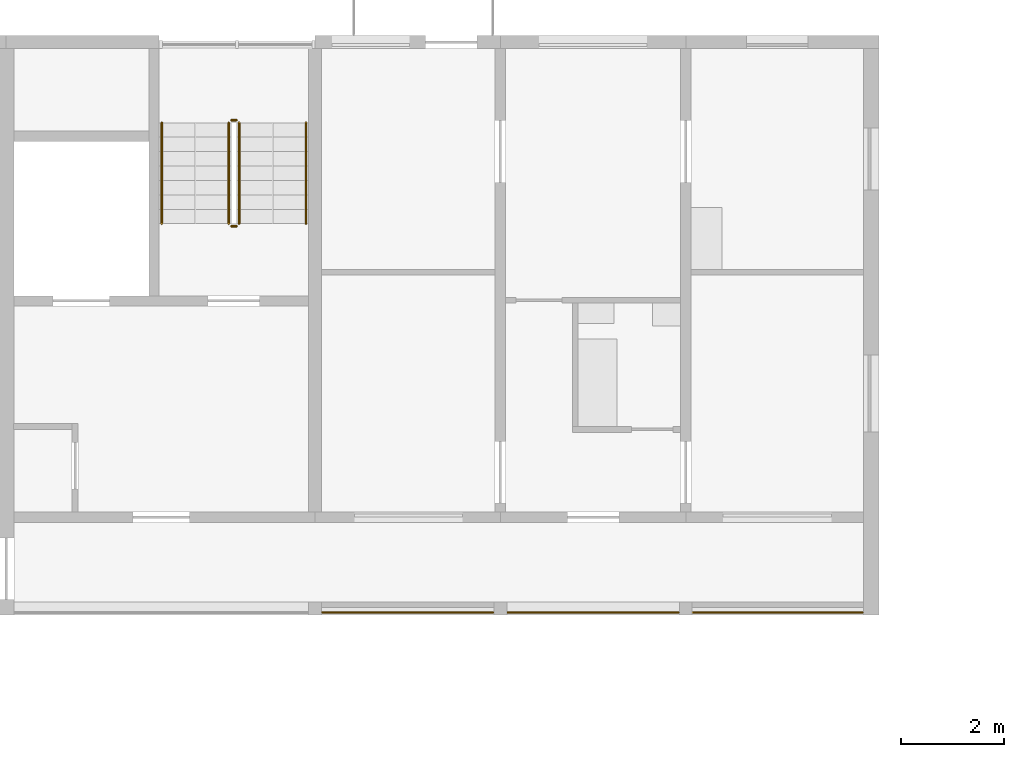
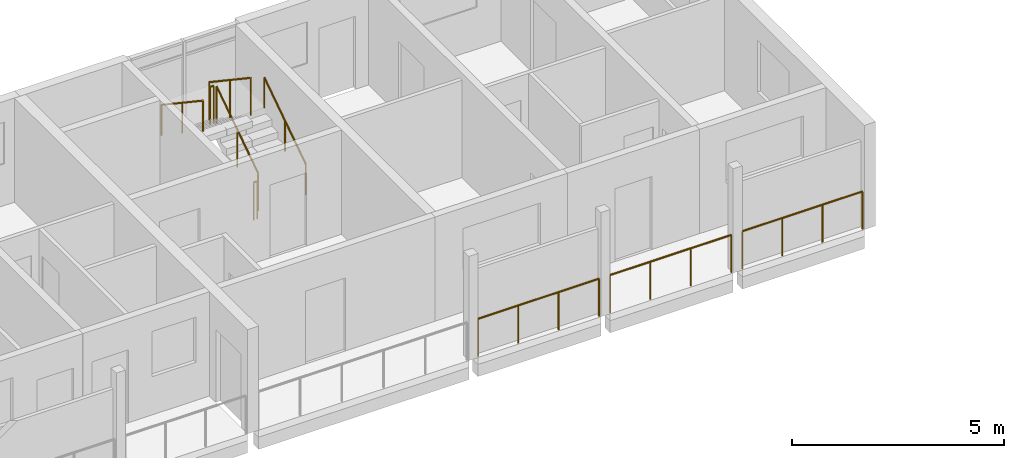
# One storey, part 86 of 99: 9 railings.
"""IFC4 building model written with IfcOpenShell, lengths in metres."""

from ifc_helpers import new_model, si_unit, direction, frame, origin, origin_2d, place, context, subcontext, project, spatial, circle, extrude, material, type_object, element, save


model = new_model("IFC4")

# Units and contexts
model_context = context("Model", 3, precision=1e-05, world=origin(), true_north=direction((0.0, 1.0)))
body_context = subcontext(model_context, "Body", "Model", "MODEL_VIEW")
ifc_project = project(units=[si_unit("LENGTHUNIT", "METRE"), si_unit("AREAUNIT", "SQUARE_METRE"), si_unit("VOLUMEUNIT", "CUBIC_METRE"), si_unit("PLANEANGLEUNIT", "RADIAN"), si_unit("MASSUNIT", "GRAM", prefix="KILO")], contexts=[model_context])

# Site, building, storey
site_placement = place(None, origin())
site = spatial("IfcSite", under=ifc_project, at=site_placement, CompositionType="ELEMENT")
building_placement = place(site_placement, origin())
building = spatial("IfcBuilding", under=site, at=building_placement, Name="Ridgestep Commons", CompositionType="ELEMENT")
storey_placement = place(building_placement, frame((0.0, 0.0, 15.0)))
storey = spatial("IfcBuildingStorey", under=building, at=storey_placement, Name="L05", CompositionType="ELEMENT", Elevation=15.0)

# Railings
ifc_material_1 = material(Name="Structural steel S355JR", Category="steel")
railing_type_1 = type_object("IfcRailingType", Name="Guard 1100", PredefinedType="GUARDRAIL", material=ifc_material_1)
railing_1_placement = place(storey_placement, frame((102.14599609375, 66.050048828125, 0.0)))
element("IfcRailing", 1, at=railing_1_placement, inside=storey, type_object=railing_type_1, Name="Gallery guard B 05.22", PredefinedType="GUARDRAIL", context=body_context, shape_type="SweptSolid", body=[
    extrude(circle(Radius=0.02392578125, at=origin_2d()), frame((0.0, 0.0, 1.076171875), z_axis=(1.0, 0.0, 0.0), x_axis=(0.0, 1.0, 0.0)), (0.0, 0.0, 1.0), 3.30810546875),
    extrude(circle(Radius=0.02099609375, at=origin_2d()), origin(), (0.0, 0.0, 1.0), 1.052001953125),
    extrude(circle(Radius=0.02099609375, at=origin_2d()), frame((1.102783203125, 0.0, 0.0)), (0.0, 0.0, 1.0), 1.052001953125),
    extrude(circle(Radius=0.02099609375, at=origin_2d()), frame((2.205322265625, 0.0, 0.0)), (0.0, 0.0, 1.0), 1.052001953125),
    extrude(circle(Radius=0.02099609375, at=origin_2d()), frame((3.30810546875, 0.0, 0.0)), (0.0, 0.0, 1.0), 1.052001953125),
])
railing_2_placement = place(storey_placement, frame((105.74609375, 66.050048828125, 0.0)))
element("IfcRailing", 2, at=railing_2_placement, inside=storey, type_object=railing_type_1, Name="Gallery guard B 05.23", PredefinedType="GUARDRAIL", context=body_context, shape_type="SweptSolid", body=[
    extrude(circle(Radius=0.02392578125, at=origin_2d()), frame((0.0, 0.0, 1.076171875), z_axis=(1.0, 0.0, 0.0), x_axis=(0.0, 1.0, 0.0)), (0.0, 0.0, 1.0), 3.307861328125),
    extrude(circle(Radius=0.02099609375, at=origin_2d()), origin(), (0.0, 0.0, 1.0), 1.052001953125),
    extrude(circle(Radius=0.02099609375, at=origin_2d()), frame((1.1025390625, 0.0, 0.0)), (0.0, 0.0, 1.0), 1.052001953125),
    extrude(circle(Radius=0.02099609375, at=origin_2d()), frame((2.205322265625, 0.0, 0.0)), (0.0, 0.0, 1.0), 1.052001953125),
    extrude(circle(Radius=0.02099609375, at=origin_2d()), frame((3.307861328125, 0.0, 0.0)), (0.0, 0.0, 1.0), 1.052001953125),
])
railing_3_placement = place(storey_placement, frame((109.345947265625, 66.050048828125, 0.0)))
element("IfcRailing", 3, at=railing_3_placement, inside=storey, type_object=railing_type_1, Name="Gallery guard B 05.24", PredefinedType="GUARDRAIL", context=body_context, shape_type="SweptSolid", body=[
    extrude(circle(Radius=0.02392578125, at=origin_2d()), frame((0.0, 0.0, 1.076171875), z_axis=(1.0, 0.0, 0.0), x_axis=(0.0, 1.0, 0.0)), (0.0, 0.0, 1.0), 3.282958984375),
    extrude(circle(Radius=0.02099609375, at=origin_2d()), origin(), (0.0, 0.0, 1.0), 1.052001953125),
    extrude(circle(Radius=0.02099609375, at=origin_2d()), frame((1.09423828125, 0.0, 0.0)), (0.0, 0.0, 1.0), 1.052001953125),
    extrude(circle(Radius=0.02099609375, at=origin_2d()), frame((2.188720703125, 0.0, 0.0)), (0.0, 0.0, 1.0), 1.052001953125),
    extrude(circle(Radius=0.02099609375, at=origin_2d()), frame((3.282958984375, 0.0, 0.0)), (0.0, 0.0, 1.0), 1.052001953125),
])
ifc_material_2 = material(Name="Structural steel S355JR", Category="steel")
railing_type_2 = type_object("IfcRailingType", Name="Stair guard 1100", PredefinedType="GUARDRAIL", material=ifc_material_2)
railing_4_placement = place(storey_placement, frame((100.52490234375, 73.60009765625, 0.1875)))
element("IfcRailing", 4, at=railing_4_placement, inside=storey, type_object=railing_type_2, Name="L05 B6C stair guard 1", PredefinedType="GUARDRAIL", context=body_context, shape_type="SweptSolid", body=[
    extrude(circle(Radius=0.02392578125, at=origin_2d()), frame((0.0, 0.0, 1.076171875), z_axis=(0.0, 0.830902050051, 0.556418712142), x_axis=(-1.0, 0.0, 0.0)), (0.0, 0.0, 1.0), 2.35888671875),
    extrude(circle(Radius=0.02099609375, at=origin_2d()), origin(), (0.0, 0.0, 1.0), 1.052001953125),
    extrude(circle(Radius=0.02099609375, at=origin_2d()), frame((0.0, 0.97998046875, 0.65625)), (0.0, 0.0, 1.0), 1.052001953125),
    extrude(circle(Radius=0.02099609375, at=origin_2d()), frame((0.0, 1.9599609375, 1.3125)), (0.0, 0.0, 1.0), 1.052001953125),
])
railing_5_placement = place(storey_placement, frame((100.47509765625, 75.610107421875, 1.5)))
element("IfcRailing", 5, at=railing_5_placement, inside=storey, type_object=railing_type_2, Name="L05 B6C stair guard 2", PredefinedType="GUARDRAIL", context=body_context, shape_type="SweptSolid", body=[
    extrude(circle(Radius=0.02392578125, at=origin_2d()), frame((0.0, 0.0, 1.076171875), z_axis=(-1.0, 0.0, 0.0), x_axis=(0.0, -1.0, 0.0)), (0.0, 0.0, 1.0), 0.10009765625),
    extrude(circle(Radius=0.02099609375, at=origin_2d()), origin(), (0.0, 0.0, 1.0), 1.052001953125),
    extrude(circle(Radius=0.02099609375, at=origin_2d()), frame((-0.10009765625, 0.0, 0.0)), (0.0, 0.0, 1.0), 1.052001953125),
])
railing_6_placement = place(storey_placement, frame((100.324951171875, 75.56005859375, 1.6875)))
element("IfcRailing", 6, at=railing_6_placement, inside=storey, type_object=railing_type_2, Name="L05 B6C stair guard 3", PredefinedType="GUARDRAIL", context=body_context, shape_type="SweptSolid", body=[
    extrude(circle(Radius=0.02392578125, at=origin_2d()), frame((0.0, 0.0, 1.076171875), z_axis=(0.0, -0.830902050051, 0.556418712142), x_axis=(1.0, 0.0, 0.0)), (0.0, 0.0, 1.0), 2.35888671875),
    extrude(circle(Radius=0.02099609375, at=origin_2d()), origin(), (0.0, 0.0, 1.0), 1.052001953125),
    extrude(circle(Radius=0.02099609375, at=origin_2d()), frame((0.0, -0.97998046875, 0.65625)), (0.0, 0.0, 1.0), 1.052001953125),
    extrude(circle(Radius=0.02099609375, at=origin_2d()), frame((0.0, -1.9599609375, 1.3125)), (0.0, 0.0, 1.0), 1.052001953125),
])
railing_7_placement = place(storey_placement, frame((100.47509765625, 73.550048828125, 0.0)))
element("IfcRailing", 7, at=railing_7_placement, inside=storey, type_object=railing_type_2, Name="L05 B6C stair guard 4", PredefinedType="GUARDRAIL", context=body_context, shape_type="SweptSolid", body=[
    extrude(circle(Radius=0.02392578125, at=origin_2d()), frame((0.0, 0.0, 1.076171875), z_axis=(-1.0, 0.0, 0.0), x_axis=(0.0, -1.0, 0.0)), (0.0, 0.0, 1.0), 0.10009765625),
    extrude(circle(Radius=0.02099609375, at=origin_2d()), origin(), (0.0, 0.0, 1.0), 1.052001953125),
    extrude(circle(Radius=0.02099609375, at=origin_2d()), frame((-0.10009765625, 0.0, 0.0)), (0.0, 0.0, 1.0), 1.052001953125),
])
ifc_material_3 = material(Name="Structural steel S355JR", Category="steel")
railing_type_3 = type_object("IfcRailingType", Name="Stair handrail 900", PredefinedType="HANDRAIL", material=ifc_material_3)
railing_8_placement = place(storey_placement, frame((101.824951171875, 73.60009765625, 0.1875)))
element("IfcRailing", 8, at=railing_8_placement, inside=storey, type_object=railing_type_3, Name="L05 B6C stair handrail 1", PredefinedType="HANDRAIL", context=body_context, shape_type="SweptSolid", body=[
    extrude(circle(Radius=0.02392578125, at=origin_2d()), frame((0.0, 0.0, 0.8759765625), z_axis=(0.0, 0.830902050051, 0.556418712142), x_axis=(-1.0, 0.0, 0.0)), (0.0, 0.0, 1.0), 2.35888671875),
    extrude(circle(Radius=0.02099609375, at=origin_2d()), origin(), (0.0, 0.0, 1.0), 0.851806640625),
    extrude(circle(Radius=0.02099609375, at=origin_2d()), frame((0.0, 0.97998046875, 0.65625)), (0.0, 0.0, 1.0), 0.851806640625),
    extrude(circle(Radius=0.02099609375, at=origin_2d()), frame((0.0, 1.9599609375, 1.3125)), (0.0, 0.0, 1.0), 0.851806640625),
])
railing_9_placement = place(storey_placement, frame((99.02490234375, 75.56005859375, 1.6875)))
element("IfcRailing", 9, at=railing_9_placement, inside=storey, type_object=railing_type_3, Name="L05 B6C stair handrail 2", PredefinedType="HANDRAIL", context=body_context, shape_type="SweptSolid", body=[
    extrude(circle(Radius=0.02392578125, at=origin_2d()), frame((0.0, 0.0, 0.8759765625), z_axis=(0.0, -0.830902050051, 0.556418712142), x_axis=(1.0, 0.0, 0.0)), (0.0, 0.0, 1.0), 2.35888671875),
    extrude(circle(Radius=0.02099609375, at=origin_2d()), origin(), (0.0, 0.0, 1.0), 0.851806640625),
    extrude(circle(Radius=0.02099609375, at=origin_2d()), frame((0.0, -0.97998046875, 0.65625)), (0.0, 0.0, 1.0), 0.851806640625),
    extrude(circle(Radius=0.02099609375, at=origin_2d()), frame((0.0, -1.9599609375, 1.3125)), (0.0, 0.0, 1.0), 0.851806640625),
])

save(model, "model.ifc")
